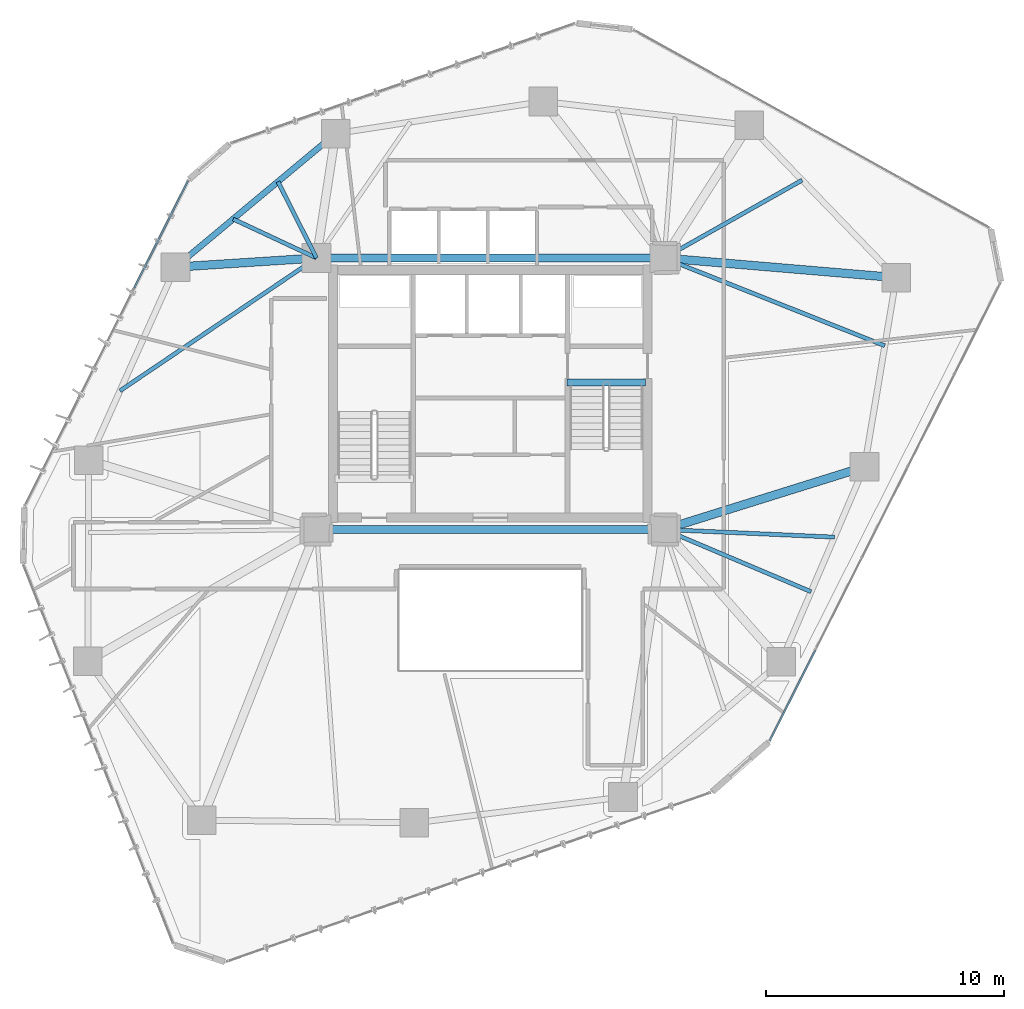
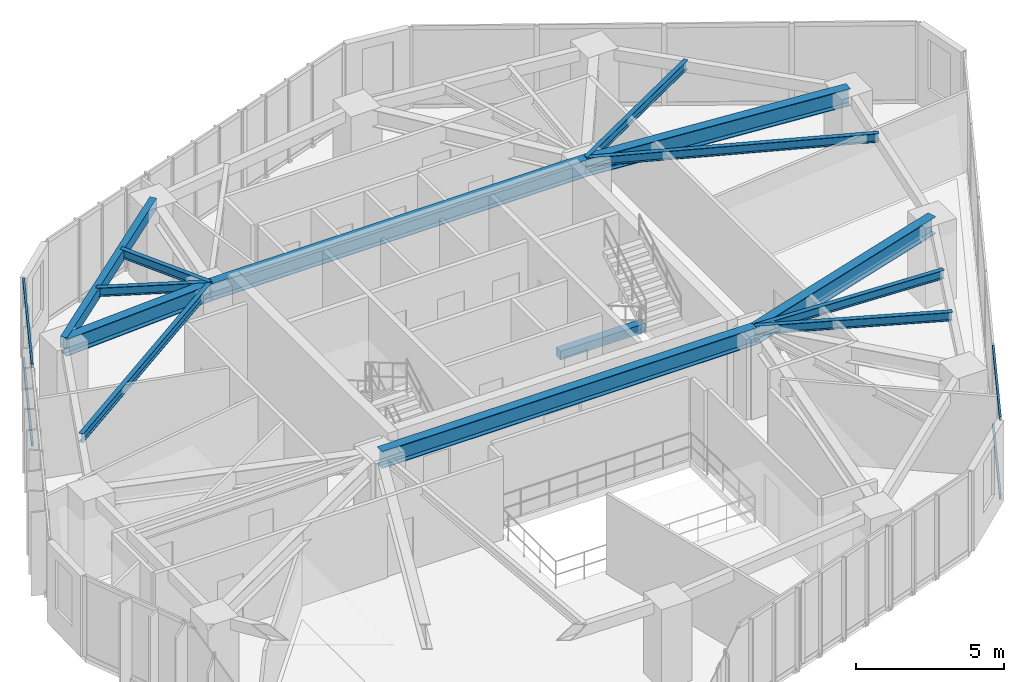
# One storey, part 9 of 21: 14 beams, 4 members, 2 elements without a shape of their own.
"""IFC4 building model written with IfcOpenShell, lengths in metres."""

import ifcopenshell
import ifcopenshell.guid

model = None  # the IFC model being written
_history = None  # IfcOwnerHistory: only IFC2X3 demands one
_inside = {}  # id of a spatial element -> (the spatial element, [elements in it])
_under = {}  # id of a project, library or spatial element -> (it, [spatial elements below it])
_declared = {}  # id of a project -> (the project, [libraries it declares])
_typed = {}  # id of a type object -> (the type object, [elements of that type])
_made_of = {}  # id of a material, layer set ... -> (it, [elements and type objects made of it])


def new_model(schema):
    """Start an empty IFC model of exactly this schema.

    Asked for "IFC4X3", IfcOpenShell would pick the latest addendum, in which some entities
    have other attributes; the version numbers below select the first issue.
    IFC2X3 requires an IfcOwnerHistory on every rooted entity: one is made here for all.
    """
    global model, _history
    if schema == "IFC4X3":
        model = ifcopenshell.file(schema_version=(4, 3, 0, 0))
    else:
        model = ifcopenshell.file(schema=schema)
    _inside.clear()
    _under.clear()
    _declared.clear()
    _typed.clear()
    _made_of.clear()
    _history = None
    if model.schema == "IFC2X3":
        org = make("IfcOrganization", Name="unknown")
        user = make(
            "IfcPersonAndOrganization",
            ThePerson=make("IfcPerson", FamilyName="unknown"),
            TheOrganization=org,
        )
        app = make(
            "IfcApplication",
            ApplicationDeveloper=org,
            Version="unknown",
            ApplicationFullName="unknown",
            ApplicationIdentifier="unknown",
        )
        _history = make(
            "IfcOwnerHistory",
            OwningUser=user,
            OwningApplication=app,
            ChangeAction="ADDED",
            CreationDate=0,
        )
    return model


def make(cls, **values):
    """One entity of the class cls with the attributes given. An attribute that is None is left unset."""
    return model.create_entity(
        cls, **{name: value for name, value in values.items() if value is not None}
    )


def rooted(cls, **values):
    """An entity with a GlobalId (a new one), such as an element, a storey or a relation."""
    return make(cls, GlobalId=ifcopenshell.guid.new(), OwnerHistory=_history, **values)


def si_unit(unit_type, name, prefix=None):
    """IfcSIUnit, for example si_unit("LENGTHUNIT", "METRE", prefix="MILLI")."""
    return make("IfcSIUnit", UnitType=unit_type, Prefix=prefix, Name=name)


def assignment(units):
    """IfcUnitAssignment: the units of a project."""
    return None if units is None else make("IfcUnitAssignment", Units=units)


def point(xyz):
    """IfcCartesianPoint."""
    return None if xyz is None else make("IfcCartesianPoint", Coordinates=xyz)


def direction(xyz):
    """IfcDirection."""
    return None if xyz is None else make("IfcDirection", DirectionRatios=xyz)


def frame(location, z_axis=None, x_axis=None):
    """IfcAxis2Placement3D, a coordinate frame: its origin and axes. An axis left out is left unset."""
    return make(
        "IfcAxis2Placement3D",
        Location=point(location),
        Axis=direction(z_axis),
        RefDirection=direction(x_axis),
    )


def frame_2d(location, x_axis=None):
    """IfcAxis2Placement2D, a coordinate frame in the plane: its origin and x axis."""
    return make(
        "IfcAxis2Placement2D", Location=point(location), RefDirection=direction(x_axis)
    )


def origin():
    """The frame at (0, 0, 0) with its axes left unset."""
    return frame((0.0, 0.0, 0.0))


def origin_2d():
    """The frame at (0, 0) in the plane with its x axis left unset."""
    return frame_2d((0.0, 0.0))


def place(relative_to, where):
    """IfcLocalPlacement: puts the frame where relative to a parent placement (None: the world)."""
    return make(
        "IfcLocalPlacement", PlacementRelTo=relative_to, RelativePlacement=where
    )


def context(
    kind, dimensions, precision=None, world=None, true_north=None, identifier=None
):
    """IfcGeometricRepresentationContext, for example the 3D "Model" context."""
    return make(
        "IfcGeometricRepresentationContext",
        ContextIdentifier=identifier,
        ContextType=kind,
        CoordinateSpaceDimension=dimensions,
        Precision=precision,
        WorldCoordinateSystem=world,
        TrueNorth=true_north,
    )


def subcontext(parent, identifier, kind, view, scale=None):
    """IfcGeometricRepresentationSubContext, for example "Body" below "Model"."""
    return make(
        "IfcGeometricRepresentationSubContext",
        ContextIdentifier=identifier,
        ContextType=kind,
        ParentContext=parent,
        TargetScale=scale,
        TargetView=view,
    )


def project(units=None, contexts=None):
    """IfcProject with its units and contexts."""
    return rooted(
        "IfcProject",
        Name="project",
        RepresentationContexts=contexts,
        UnitsInContext=assignment(units),
    )


def spatial(cls, under=None, at=None, **own):
    """A site, building, storey or space (cls), placed at a placement, below another one or the project."""
    s = rooted(cls, ObjectPlacement=at, **own)
    if under is not None:
        _under.setdefault(under.id(), (under, []))[1].append(s)
    return s


def profile(cls, at=None, kind="AREA", **sizes):
    """A parametric profile (cls). Its sizes go by their IFC names, for example OverallWidth=200.0."""
    return make(cls, ProfileType=kind, Position=at, **sizes)


def rectangle(**sizes):
    """IfcRectangleProfileDef."""
    return profile("IfcRectangleProfileDef", **sizes)


def hollow_rectangle(**sizes):
    """IfcRectangleHollowProfileDef."""
    return profile("IfcRectangleHollowProfileDef", **sizes)


def i_section(**sizes):
    """IfcIShapeProfileDef."""
    return profile("IfcIShapeProfileDef", **sizes)


def extrude(swept, where, along, depth):
    """IfcExtrudedAreaSolid: the profile swept, set in the frame where, extruded along a direction by depth."""
    return make(
        "IfcExtrudedAreaSolid",
        SweptArea=swept,
        Position=where,
        ExtrudedDirection=direction(along),
        Depth=depth,
    )


def shape(context_of_items, identifier, shape_type, items):
    """IfcShapeRepresentation: the items that make up one representation, for example the "Body"."""
    return make(
        "IfcShapeRepresentation",
        ContextOfItems=context_of_items,
        RepresentationIdentifier=identifier,
        RepresentationType=shape_type,
        Items=items,
    )


def source(mapping_origin, context_of_items, identifier, shape_type, items):
    """IfcRepresentationMap: a shape defined once, which mapped items show again and again."""
    return make(
        "IfcRepresentationMap",
        MappingOrigin=mapping_origin,
        MappedRepresentation=shape(context_of_items, identifier, shape_type, items),
    )


def transform(
    local_origin,
    x_axis=None,
    y_axis=None,
    z_axis=None,
    scale=None,
    scale2=None,
    scale3=None,
    uniform=True,
):
    """IfcCartesianTransformationOperator3D, or its non-uniform kind. x_axis, y_axis, z_axis: its Axis1, 2, 3."""
    if uniform:
        return make(
            "IfcCartesianTransformationOperator3D",
            Axis1=direction(x_axis),
            Axis2=direction(y_axis),
            LocalOrigin=point(local_origin),
            Scale=scale,
            Axis3=direction(z_axis),
        )
    return make(
        "IfcCartesianTransformationOperator3DnonUniform",
        Axis1=direction(x_axis),
        Axis2=direction(y_axis),
        LocalOrigin=point(local_origin),
        Scale=scale,
        Axis3=direction(z_axis),
        Scale2=scale2,
        Scale3=scale3,
    )


def mapped(mapping_source, mapping_target):
    """IfcMappedItem: shows the shape of a source again, moved by a transform."""
    return make(
        "IfcMappedItem", MappingSource=mapping_source, MappingTarget=mapping_target
    )


def material(Name=None, Category=None):
    """IfcMaterial."""
    return make("IfcMaterial", Name=Name, Category=Category)


def layer(
    of_material, thickness, ventilated=None, Name=None, Category=None, Priority=None
):
    """IfcMaterialLayer: one layer of a wall or slab, of a material (None: an air gap)."""
    return make(
        "IfcMaterialLayer",
        Material=of_material,
        LayerThickness=thickness,
        IsVentilated=ventilated,
        Name=Name,
        Category=Category,
        Priority=Priority,
    )


def layer_set(layers, Name=None):
    """IfcMaterialLayerSet."""
    return make("IfcMaterialLayerSet", MaterialLayers=layers, LayerSetName=Name)


def material_profile(
    of_material, cross_section, Name=None, Category=None, Priority=None
):
    """IfcMaterialProfile: a cross section and its material."""
    return make(
        "IfcMaterialProfile",
        Name=Name,
        Material=of_material,
        Profile=cross_section,
        Priority=Priority,
        Category=Category,
    )


def profile_set(profiles, Name=None, composite=None):
    """IfcMaterialProfileSet."""
    return make(
        "IfcMaterialProfileSet",
        Name=Name,
        MaterialProfiles=profiles,
        CompositeProfile=composite,
    )


def made_of(thing, what):
    """Note that an element or type object is made of a material, layer set ...; save() writes the relation."""
    if what is not None:
        _made_of.setdefault(what.id(), (what, []))[1].append(thing)
    return thing


def type_object(cls, material=None, **own):
    """A type object (cls), such as IfcWallType, which elements share."""
    return made_of(rooted(cls, **own), material)


def type_shapes(of_type, sources):
    """Give a type object the sources (RepresentationMaps) that its elements show as mapped items."""
    of_type.RepresentationMaps = sources


def element(
    cls,
    number,
    at=None,
    inside=None,
    cuts=None,
    type_object=None,
    material=None,
    context=None,
    identifier="Body",
    shape_type=None,
    held_by="IfcProductDefinitionShape",
    body=None,
    shapes=None,
    **own,
):
    """One element of the class cls, such as IfcWall. Its Tag is "e" and its number.

    at: its placement. inside: the storey or other place that contains it. cuts: it is an
    opening in that element (IfcRelVoidsElement). A single representation is given by context,
    identifier, shape_type and body (its items); several are given by shapes. held_by: the class
    of the entity that holds the representations. save() writes the other relations.
    """
    e = rooted(cls, Tag="e%d" % number, ObjectPlacement=at, **own)
    if body is not None:
        shapes = [shape(context, identifier, shape_type, body)]
    if shapes is not None:
        e.Representation = make(held_by, Representations=shapes)
    if inside is not None:
        _inside.setdefault(inside.id(), (inside, []))[1].append(e)
    if cuts is not None:
        rooted(
            "IfcRelVoidsElement", RelatingBuildingElement=cuts, RelatedOpeningElement=e
        )
    if type_object is not None:
        _typed.setdefault(type_object.id(), (type_object, []))[1].append(e)
    return made_of(e, material)


def aggregate(whole, parts):
    """IfcRelAggregates: a whole, such as a stair, and the parts it consists of."""
    return rooted("IfcRelAggregates", RelatingObject=whole, RelatedObjects=parts)


def save(model, path):
    """Write the relations noted so far, then the file.

    IfcRelAggregates (storeys below a building ...), IfcRelContainedInSpatialStructure (elements
    in a storey), IfcRelDefinesByType, IfcRelAssociatesMaterial and IfcRelDeclares: one each for
    every whole, place, type object, material and project.
    """
    for whole, parts in _under.values():
        aggregate(whole, parts)
    for where, things in _inside.values():
        rooted(
            "IfcRelContainedInSpatialStructure",
            RelatedElements=things,
            RelatingStructure=where,
        )
    for kind, things in _typed.values():
        rooted("IfcRelDefinesByType", RelatedObjects=things, RelatingType=kind)
    for what, things in _made_of.values():
        rooted("IfcRelAssociatesMaterial", RelatedObjects=things, RelatingMaterial=what)
    for by, libraries in _declared.values():
        rooted("IfcRelDeclares", RelatingContext=by, RelatedDefinitions=libraries)
    model.write(path)


model = new_model("IFC4")

# Units and contexts
model_context = context("Model", 3, precision=1e-05, world=origin(), true_north=direction((0.0, 1.0)))
body_context = subcontext(model_context, "Body", "Model", "MODEL_VIEW")
ifc_project = project(units=[si_unit("LENGTHUNIT", "METRE"), si_unit("AREAUNIT", "SQUARE_METRE"), si_unit("VOLUMEUNIT", "CUBIC_METRE"), si_unit("PLANEANGLEUNIT", "RADIAN"), si_unit("MASSUNIT", "GRAM", prefix="KILO")], contexts=[model_context])

# Site, building, storey
site_placement = place(None, origin())
site = spatial("IfcSite", under=ifc_project, at=site_placement, CompositionType="ELEMENT")
building_placement = place(site_placement, origin())
building = spatial("IfcBuilding", under=site, at=building_placement, Name="Talar Marvaseh", CompositionType="ELEMENT")
storey_placement = place(building_placement, frame((0.0, 0.0, 147.0)))
storey = spatial("IfcBuildingStorey", under=building, at=storey_placement, Name="L38", CompositionType="ELEMENT", Elevation=147.0)

# Beams
ifc_material_1 = material(Name="Concrete C40/50", Category="concrete")
ifc_material_profile_1 = material_profile(ifc_material_1, rectangle(XDim=0.300048828125, YDim=0.360107421875, at=origin_2d()), Name="RC300x360")
ifc_profile_set_1 = profile_set([ifc_material_profile_1], Name="Concrete C40/50")
beam_type_1 = type_object("IfcBeamType", Name="Concrete Stair Landing Trimmer Beam RC300x360", PredefinedType="SPANDREL", material=ifc_profile_set_1)
beam_1_placement = place(storey_placement, frame((29.219970703125, 31.669921875, -0.179931640625), z_axis=(1.0, 0.0, 0.0), x_axis=(0.0, 1.0, 0.0)))
element("IfcBeam", 1, at=beam_1_placement, inside=storey, type_object=beam_type_1, Name="L38 ST-2 Stair Nosing Trimmer Beam", PredefinedType="SPANDREL", context=body_context, shape_type="SweptSolid", body=[
    extrude(rectangle(XDim=0.300048828125, YDim=0.360107421875, at=origin_2d()), origin(), (0.0, 0.0, 1.0), 3.300048828125),
])
ifc_material_2 = material(Name="Steel S355", Category="steel")
ifc_material_profile_2 = material_profile(ifc_material_2, hollow_rectangle(XDim=0.25, YDim=0.449951171875, WallThickness=0.01611328125, at=origin_2d()), Name="RHS450x250x16")
ifc_profile_set_2 = profile_set([ifc_material_profile_2], Name="Steel S355")
beam_type_2 = type_object("IfcBeamType", Name="Zone 2 Perimeter Spandrel Beam RHS450x250x16", PredefinedType="SPANDREL", material=ifc_profile_set_2)
beam_2_placement = place(storey_placement, frame((12.780029296875, 36.51708984375, 3.0849609375), z_axis=(0.76793081465, 0.640532796905, 0.0), x_axis=(-0.640532796905, 0.76793081465, 0.0)))
element("IfcBeam", 2, at=beam_2_placement, inside=storey, type_object=beam_type_2, Name="L38 Zone 2 Perimeter Spandrel Beam RHS450x250x16", PredefinedType="SPANDREL", context=body_context, shape_type="SweptSolid", body=[
    extrude(hollow_rectangle(XDim=0.25, YDim=0.449951171875, WallThickness=0.01611328125, at=origin_2d()), origin(), (0.0, 0.0, 1.0), 8.751953125),
])
ifc_material_profile_3 = material_profile(ifc_material_2, i_section(OverallWidth=0.35498046875, OverallDepth=0.695068359375, WebThickness=0.015380859375, FlangeThickness=0.02490234375, at=origin_2d()), Name="W690x217")
ifc_profile_set_3 = profile_set([ifc_material_profile_3], Name="Steel S355")
beam_type_3 = type_object("IfcBeamType", Name="Zone 2 Radial Floor Girder W690x217", PredefinedType="BEAM", material=ifc_profile_set_3)
for number, where, z_axis, x_axis, name in (
    (3, (18.699951171875, 25.5, 2.96240234375), (1.0, 0.0, 0.0), (0.0, 1.0, 0.0), "L38 Zone 2 Radial Floor Girder W690x217"),
    (4, (18.699951171875, 36.89990234375, 2.96240234375), (1.0, 0.0, 0.0), (0.0, 1.0, 0.0), "L38 Zone 2 Radial Floor Girder W690x217"),
):
    element("IfcBeam", number, at=place(storey_placement, frame(where, z_axis=z_axis, x_axis=x_axis)), inside=storey, type_object=beam_type_3, Name=name, PredefinedType="BEAM", context=body_context, shape_type="SweptSolid", body=[
        extrude(i_section(OverallWidth=0.35498046875, OverallDepth=0.695068359375, WebThickness=0.015380859375, FlangeThickness=0.02490234375, at=origin_2d()), origin(), (0.0, 0.0, 1.0), 14.60009765625),
    ])
beam_3_placement = place(storey_placement, frame((43.0439453125, 36.075927734375, 2.96240234375), z_axis=(-0.996443598923, 0.084262412527, 0.0), x_axis=(-0.084262412527, -0.996443598923, 0.0)))
element("IfcBeam", 5, at=beam_3_placement, inside=storey, type_object=beam_type_3, Name="L38 Zone 2 Radial Floor Girder W690x217", PredefinedType="BEAM", context=body_context, shape_type="SweptSolid", body=[
    extrude(i_section(OverallWidth=0.35498046875, OverallDepth=0.695068359375, WebThickness=0.015380859375, FlangeThickness=0.02490234375, at=origin_2d()), origin(), (0.0, 0.0, 1.0), 9.778564453125),
])
beam_4_placement = place(storey_placement, frame((41.708984375, 28.1279296875, 2.96240234375), z_axis=(-0.954475540106, -0.298289194138, 0.0), x_axis=(0.298289194138, -0.954475540106, 0.0)))
element("IfcBeam", 6, at=beam_4_placement, inside=storey, type_object=beam_type_3, Name="L38 Zone 2 Radial Floor Girder W690x217", PredefinedType="BEAM", context=body_context, shape_type="SweptSolid", body=[
    extrude(i_section(OverallWidth=0.35498046875, OverallDepth=0.695068359375, WebThickness=0.015380859375, FlangeThickness=0.02490234375, at=origin_2d()), origin(), (0.0, 0.0, 1.0), 8.81005859375),
])
beam_5_placement = place(storey_placement, frame((12.780029296875, 36.51708984375, 2.96240234375), z_axis=(0.997915745008, 0.064530348407, 0.0), x_axis=(-0.064530348407, 0.997915745008, 0.0)))
element("IfcBeam", 7, at=beam_5_placement, inside=storey, type_object=beam_type_3, Name="L38 Zone 2 Radial Floor Girder W690x217", PredefinedType="BEAM", context=body_context, shape_type="SweptSolid", body=[
    extrude(i_section(OverallWidth=0.35498046875, OverallDepth=0.695068359375, WebThickness=0.015380859375, FlangeThickness=0.02490234375, at=origin_2d()), origin(), (0.0, 0.0, 1.0), 5.932373046875),
])
ifc_material_profile_4 = material_profile(ifc_material_2, i_section(OverallWidth=0.172119140625, OverallDepth=0.35791015625, WebThickness=0.0078125, FlangeThickness=0.01318359375, at=origin_2d()), Name="W360x57")
ifc_profile_set_4 = profile_set([ifc_material_profile_4], Name="Steel S355")
beam_type_4 = type_object("IfcBeamType", Name="Zone 2 Secondary Floor Joist W360x57", PredefinedType="JOIST", material=ifc_profile_set_4)
beam_6_placement = place(storey_placement, frame((39.090087890625, 40.168701171875, 3.131103515625), z_axis=(-0.870809604029, -0.491620416105, 0.0), x_axis=(0.491620416105, -0.870809604029, 0.0)))
element("IfcBeam", 8, at=beam_6_placement, inside=storey, type_object=beam_type_4, Name="L38 Zone 2 Secondary Floor Joist W360x57", PredefinedType="JOIST", context=body_context, shape_type="SweptSolid", body=[
    extrude(i_section(OverallWidth=0.172119140625, OverallDepth=0.35791015625, WebThickness=0.0078125, FlangeThickness=0.01318359375, at=origin_2d()), origin(), (0.0, 0.0, 1.0), 6.64892578125),
])
beam_7_placement = place(storey_placement, frame((42.5634765625, 33.214599609375, 3.131103515625), z_axis=(-0.929169193082, 0.369654718119, 0.0), x_axis=(-0.369654718119, -0.929169193082, 0.0)))
element("IfcBeam", 9, at=beam_7_placement, inside=storey, type_object=beam_type_4, Name="L38 Zone 2 Secondary Floor Joist W360x57", PredefinedType="JOIST", context=body_context, shape_type="SweptSolid", body=[
    extrude(i_section(OverallWidth=0.172119140625, OverallDepth=0.35791015625, WebThickness=0.0078125, FlangeThickness=0.01318359375, at=origin_2d()), origin(), (0.0, 0.0, 1.0), 9.969482421875),
])
beam_8_placement = place(storey_placement, frame((40.447998046875, 25.1806640625, 3.131103515625), z_axis=(-0.999003555358, 0.044630666385, 0.0), x_axis=(-0.044630666385, -0.999003555358, 0.0)))
element("IfcBeam", 10, at=beam_8_placement, inside=storey, type_object=beam_type_4, Name="L38 Zone 2 Secondary Floor Joist W360x57", PredefinedType="JOIST", context=body_context, shape_type="SweptSolid", body=[
    extrude(i_section(OverallWidth=0.172119140625, OverallDepth=0.35791015625, WebThickness=0.0078125, FlangeThickness=0.01318359375, at=origin_2d()), origin(), (0.0, 0.0, 1.0), 7.155029296875),
])
beam_9_placement = place(storey_placement, frame((39.467041015625, 22.88818359375, 3.131103515625), z_axis=(-0.920822287071, 0.389982455546, 0.0), x_axis=(-0.389982455546, -0.920822287071, 0.0)))
element("IfcBeam", 11, at=beam_9_placement, inside=storey, type_object=beam_type_4, Name="L38 Zone 2 Secondary Floor Joist W360x57", PredefinedType="JOIST", context=body_context, shape_type="SweptSolid", body=[
    extrude(i_section(OverallWidth=0.172119140625, OverallDepth=0.35791015625, WebThickness=0.0078125, FlangeThickness=0.01318359375, at=origin_2d()), origin(), (0.0, 0.0, 1.0), 6.697265625),
])
beam_10_placement = place(storey_placement, frame((10.44921875, 31.323486328125, 3.131103515625), z_axis=(0.828514577653, 0.55996749425, 0.0), x_axis=(-0.55996749425, 0.828514577653, 0.0)))
element("IfcBeam", 12, at=beam_10_placement, inside=storey, type_object=beam_type_4, Name="L38 Zone 2 Secondary Floor Joist W360x57", PredefinedType="JOIST", context=body_context, shape_type="SweptSolid", body=[
    extrude(i_section(OverallWidth=0.172119140625, OverallDepth=0.35791015625, WebThickness=0.0078125, FlangeThickness=0.01318359375, at=origin_2d()), origin(), (0.0, 0.0, 1.0), 9.95849609375),
])
beam_11_placement = place(storey_placement, frame((15.19970703125, 38.53515625, 3.131103515625), z_axis=(0.906003856895, -0.423269431086, 0.0), x_axis=(0.423269431086, 0.906003856895, 0.0)))
element("IfcBeam", 13, at=beam_11_placement, inside=storey, type_object=beam_type_4, Name="L38 Zone 2 Secondary Floor Joist W360x57", PredefinedType="JOIST", context=body_context, shape_type="SweptSolid", body=[
    extrude(i_section(OverallWidth=0.172119140625, OverallDepth=0.35791015625, WebThickness=0.0078125, FlangeThickness=0.01318359375, at=origin_2d()), origin(), (0.0, 0.0, 1.0), 3.86328125),
])
beam_12_placement = place(storey_placement, frame((17.081298828125, 40.104736328125, 3.131103515625), z_axis=(0.450827436945, -0.892611125909, 0.0), x_axis=(0.892611125909, 0.450827436945, 0.0)))
element("IfcBeam", 14, at=beam_12_placement, inside=storey, type_object=beam_type_4, Name="L38 Zone 2 Secondary Floor Joist W360x57", PredefinedType="JOIST", context=body_context, shape_type="SweptSolid", body=[
    extrude(i_section(OverallWidth=0.172119140625, OverallDepth=0.35791015625, WebThickness=0.0078125, FlangeThickness=0.01318359375, at=origin_2d()), origin(), (0.0, 0.0, 1.0), 3.59033203125),
])

# Curtain wall, members
ifc_material_3 = material(Name="Architectural Aluminium", Category="aluminium")
ifc_layer = layer(ifc_material_3, 0.199951171875)
ifc_layer_set = layer_set([ifc_layer], Name="Architectural Aluminium")
curtain_wall_type = type_object("IfcCurtainWallType", Name="Unitised Acoustic Library Curtain Wall Z2", PredefinedType="NOTDEFINED", material=ifc_layer_set)
curtain_wall_1_placement = place(storey_placement, origin())
curtain_wall_1 = element("IfcCurtainWall", 15, at=curtain_wall_1_placement, inside=storey, type_object=curtain_wall_type, Name="L38 Unitised Acoustic Library Curtain Wall Z2", PredefinedType="NOTDEFINED")
ifc_material_profile_5 = material_profile(ifc_material_3, hollow_rectangle(XDim=0.074951171875, YDim=0.179931640625, WallThickness=0.0048828125, at=origin_2d()), Name="RHS180x75x5")
ifc_profile_set_5 = profile_set([ifc_material_profile_5], Name="Architectural Aluminium")
member_type = type_object("IfcMemberType", Name="Unitised Curtain Wall Transom RHS180x75x5", PredefinedType="USERDEFINED", material=ifc_profile_set_5)
shared_shape_1 = source(origin(), body_context, "Body", "SweptSolid", [
    extrude(hollow_rectangle(XDim=0.074951171875, YDim=0.179931640625, WallThickness=0.0048828125, at=origin_2d()), origin(), (0.0, 0.0, 1.0), 5.017578125),
])
member_1_placement = place(storey_placement, frame((11.0546875, 35.647216796875, 0.03759765625), z_axis=(0.449061631363, 0.893500784128, 0.0), x_axis=(-0.893500784128, 0.449061631363, 0.0)))
member_1 = element("IfcMember", 16, at=member_1_placement, type_object=member_type, Name="CW-Z2 transom 3.1", ObjectType="TRANSOM", PredefinedType="USERDEFINED", context=body_context, shape_type="MappedRepresentation", body=[
    mapped(shared_shape_1, transform((0.0, 0.0, 0.0), x_axis=(1.0, 0.0, 0.0), y_axis=(0.0, 1.0, 0.0), z_axis=(0.0, 0.0, 1.0), scale=1.0)),
])
member_2_placement = place(storey_placement, frame((11.0546875, 35.647216796875, 3.2724609375), z_axis=(0.449061631363, 0.893500784128, 0.0), x_axis=(-0.893500784128, 0.449061631363, 0.0)))
member_2 = element("IfcMember", 17, at=member_2_placement, type_object=member_type, Name="CW-Z2 transom 3.2", ObjectType="TRANSOM", PredefinedType="USERDEFINED", context=body_context, shape_type="MappedRepresentation", body=[
    mapped(shared_shape_1, transform((0.0, 0.0, 0.0), x_axis=(1.0, 0.0, 0.0), y_axis=(0.0, 1.0, 0.0), z_axis=(0.0, 0.0, 1.0), scale=1.0)),
])
aggregate(curtain_wall_1, [member_1, member_2])

curtain_wall_2_placement = place(storey_placement, origin())
curtain_wall_2 = element("IfcCurtainWall", 18, at=curtain_wall_2_placement, inside=storey, type_object=curtain_wall_type, Name="L38 Unitised Acoustic Library Curtain Wall Z2", PredefinedType="NOTDEFINED")
shared_shape_2 = source(origin(), body_context, "Body", "SweptSolid", [
    extrude(hollow_rectangle(XDim=0.074951171875, YDim=0.179931640625, WallThickness=0.0048828125, at=origin_2d()), origin(), (0.0, 0.0, 1.0), 4.2109375),
])
type_shapes(member_type, [shared_shape_1, shared_shape_2])
member_3_placement = place(storey_placement, frame((39.633544921875, 20.407958984375, 0.03759765625), z_axis=(-0.450249008075, -0.892903035457, 0.0), x_axis=(0.892903035457, -0.450249008075, 0.0)))
member_3 = element("IfcMember", 19, at=member_3_placement, type_object=member_type, Name="CW-Z2 transom 5.1", ObjectType="TRANSOM", PredefinedType="USERDEFINED", context=body_context, shape_type="MappedRepresentation", body=[
    mapped(shared_shape_2, transform((0.0, 0.0, 0.0), x_axis=(1.0, 0.0, 0.0), y_axis=(0.0, 1.0, 0.0), z_axis=(0.0, 0.0, 1.0), scale=1.0)),
])
member_4_placement = place(storey_placement, frame((39.633544921875, 20.407958984375, 3.2724609375), z_axis=(-0.450249008075, -0.892903035457, 0.0), x_axis=(0.892903035457, -0.450249008075, 0.0)))
member_4 = element("IfcMember", 20, at=member_4_placement, type_object=member_type, Name="CW-Z2 transom 5.2", ObjectType="TRANSOM", PredefinedType="USERDEFINED", context=body_context, shape_type="MappedRepresentation", body=[
    mapped(shared_shape_2, transform((0.0, 0.0, 0.0), x_axis=(1.0, 0.0, 0.0), y_axis=(0.0, 1.0, 0.0), z_axis=(0.0, 0.0, 1.0), scale=1.0)),
])
aggregate(curtain_wall_2, [member_3, member_4])

save(model, "model.ifc")
